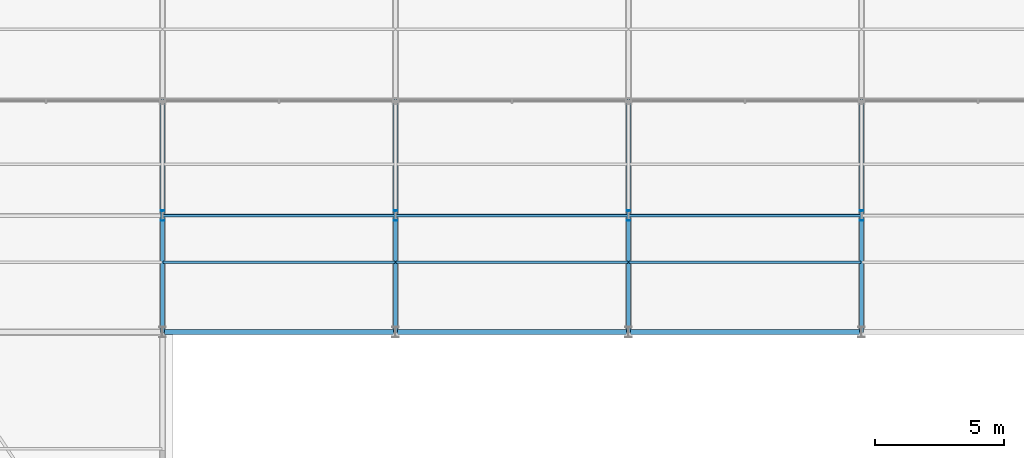
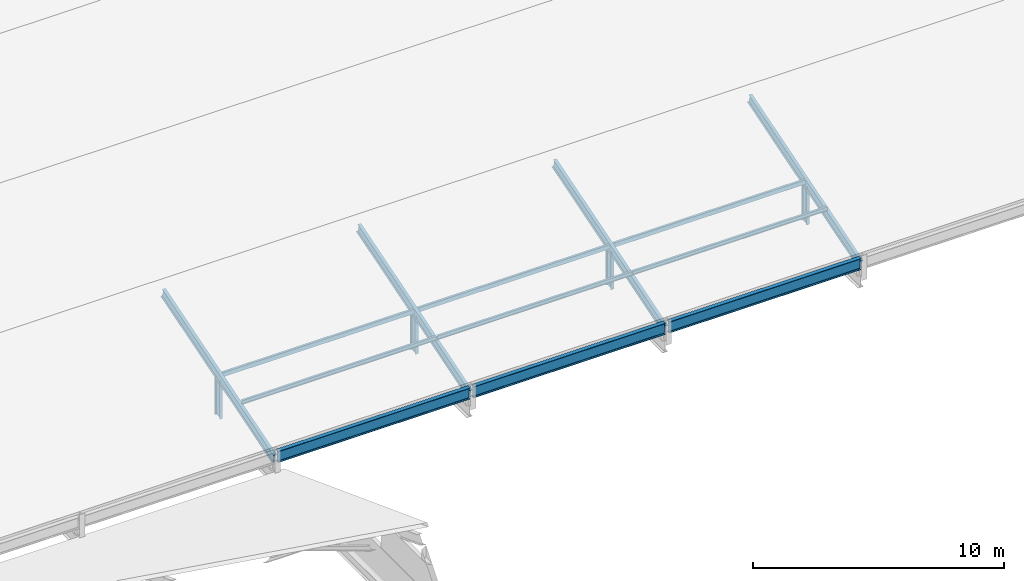
# One storey, part 61 of 163: 14 members, 3 beams.
"""IFC4 building model written with IfcOpenShell, lengths in metres."""

from ifc_helpers import new_model, si_unit, direction, frame, origin, origin_2d, place, context, subcontext, project, spatial, hollow_rectangle, i_section, extrude, material, material_profile, profile_set, type_object, element, save


model = new_model("IFC4")

# Units and contexts
model_context = context("Model", 3, precision=1e-05, world=origin(), true_north=direction((0.0, 1.0)))
body_context = subcontext(model_context, "Body", "Model", "MODEL_VIEW")
ifc_project = project(units=[si_unit("LENGTHUNIT", "METRE"), si_unit("AREAUNIT", "SQUARE_METRE"), si_unit("VOLUMEUNIT", "CUBIC_METRE"), si_unit("PLANEANGLEUNIT", "RADIAN"), si_unit("MASSUNIT", "GRAM", prefix="KILO")], contexts=[model_context])

# Site, building, storey
site_placement = place(None, origin())
site = spatial("IfcSite", under=ifc_project, at=site_placement, CompositionType="ELEMENT")
building_placement = place(site_placement, origin())
building = spatial("IfcBuilding", under=site, at=building_placement, Name="Tharagai Park Tramway Depot", CompositionType="ELEMENT")
storey_placement = place(building_placement, frame((0.0, 0.0, 8.39990234375)))
storey = spatial("IfcBuildingStorey", under=building, at=storey_placement, Name="L02", CompositionType="ELEMENT", Elevation=8.39990234375)

# Beams
ifc_material_1 = material(Name="Steel E350", Category="steel")
ifc_material_profile_1 = material_profile(ifc_material_1, i_section(OverallWidth=0.18994140625, OverallDepth=0.550048828125, WebThickness=0.01123046875, FlangeThickness=0.019287109375, FilletRadius=0.01806640625, at=origin_2d()), Name="ISMB 550")
ifc_profile_set_1 = profile_set([ifc_material_profile_1], Name="Steel E350")
beam_type = type_object("IfcBeamType", Name="BM-09", PredefinedType="BEAM", material=ifc_profile_set_1)
for number, where, z_axis, x_axis, name in (
    (1, (90.080078125, 90.0, 0.72509765625), (1.0, 0.0, 0.0), (0.0, 1.0, 0.0), "Sawtooth Valley Girder BM-09"),
    (2, (99.080078125, 90.0, 0.72509765625), (1.0, 0.0, 0.0), (0.0, 1.0, 0.0), "Sawtooth Valley Girder BM-09"),
    (3, (108.080078125, 90.0, 0.72509765625), (1.0, 0.0, 0.0), (0.0, 1.0, 0.0), "Sawtooth Valley Girder BM-09"),
):
    element("IfcBeam", number, at=place(storey_placement, frame(where, z_axis=z_axis, x_axis=x_axis)), inside=storey, type_object=beam_type, Name=name, PredefinedType="BEAM", context=body_context, shape_type="SweptSolid", body=[
        extrude(i_section(OverallWidth=0.18994140625, OverallDepth=0.550048828125, WebThickness=0.01123046875, FlangeThickness=0.019287109375, FilletRadius=0.01806640625, at=origin_2d()), origin(), (0.0, 0.0, 1.0), 8.83984375),
    ])

# Members
ifc_material_2 = material(Name="Steel E250", Category="steel")
ifc_material_profile_2 = material_profile(ifc_material_2, i_section(OverallWidth=0.10009765625, OverallDepth=0.199951171875, WebThickness=0.005615234375, FlangeThickness=0.0107421875, FilletRadius=0.010986328125, at=origin_2d()), Name="ISMB 200")
ifc_profile_set_2 = profile_set([ifc_material_profile_2], Name="Steel E250")
member_type_1 = type_object("IfcMemberType", Name="PR-04", PredefinedType="PURLIN", material=ifc_profile_set_2)
for number, where, z_axis, x_axis, name in (
    (4, (90.02001953125, 92.699951171875, 1.733154296875), (1.0, 0.0, 0.0), (0.0, 1.0, 0.0), "Sawtooth Roof Purlin PR-04"),
    (5, (99.02001953125, 92.699951171875, 1.733154296875), (1.0, 0.0, 0.0), (0.0, 1.0, 0.0), "Sawtooth Roof Purlin PR-04"),
    (6, (108.02001953125, 92.699951171875, 1.733154296875), (1.0, 0.0, 0.0), (0.0, 1.0, 0.0), "Sawtooth Roof Purlin PR-04"),
):
    element("IfcMember", number, at=place(storey_placement, frame(where, z_axis=z_axis, x_axis=x_axis)), inside=storey, type_object=member_type_1, Name=name, PredefinedType="PURLIN", context=body_context, shape_type="SweptSolid", body=[
        extrude(i_section(OverallWidth=0.10009765625, OverallDepth=0.199951171875, WebThickness=0.005615234375, FlangeThickness=0.0107421875, FilletRadius=0.010986328125, at=origin_2d()), origin(), (0.0, 0.0, 1.0), 8.9599609375),
    ])
ifc_material_profile_3 = material_profile(ifc_material_1, hollow_rectangle(XDim=0.1201171875, YDim=0.219970703125, WallThickness=0.008056640625, InnerFilletRadius=0.008056640625, OuterFilletRadius=0.01611328125, at=origin_2d()), Name="RHS 220x120x8")
ifc_profile_set_3 = profile_set([ifc_material_profile_3], Name="Steel E350")
member_type_2 = type_object("IfcMemberType", Name="TC-03", PredefinedType="CHORD", material=ifc_profile_set_3)
for number, where, z_axis, x_axis, name in (
    (7, (90.02001953125, 94.5, 1.946533203125), (1.0, 0.0, 0.0), (0.0, 1.0, 0.0), "Sawtooth Tubular Tie Strut TC-03"),
    (8, (99.02001953125, 94.5, 1.946533203125), (1.0, 0.0, 0.0), (0.0, 1.0, 0.0), "Sawtooth Tubular Tie Strut TC-03"),
    (9, (108.02001953125, 94.5, 1.946533203125), (1.0, 0.0, 0.0), (0.0, 1.0, 0.0), "Sawtooth Tubular Tie Strut TC-03"),
):
    element("IfcMember", number, at=place(storey_placement, frame(where, z_axis=z_axis, x_axis=x_axis)), inside=storey, type_object=member_type_2, Name=name, PredefinedType="CHORD", context=body_context, shape_type="SweptSolid", body=[
        extrude(hollow_rectangle(XDim=0.1201171875, YDim=0.219970703125, WallThickness=0.008056640625, InnerFilletRadius=0.008056640625, OuterFilletRadius=0.01611328125, at=origin_2d()), origin(), (0.0, 0.0, 1.0), 8.9599609375),
    ])
ifc_material_profile_4 = material_profile(ifc_material_1, i_section(OverallWidth=0.14990234375, OverallDepth=0.449951171875, WebThickness=0.009521484375, FlangeThickness=0.017333984375, FilletRadius=0.014892578125, at=origin_2d()), Name="ISMB 450")
ifc_profile_set_4 = profile_set([ifc_material_profile_4], Name="Steel E350")
member_type_3 = type_object("IfcMemberType", Name="TC-05", PredefinedType="CHORD", material=ifc_profile_set_4)
for number, where, z_axis, x_axis, name in (
    (10, (90.0, 90.06005859375, 0.587890625), (0.0, 0.956231486327, 0.29261125159), (-1.0, 0.0, 0.0), "Sawtooth Top Chord TC-05"),
    (11, (99.0, 90.06005859375, 0.587890625), (0.0, 0.956231486327, 0.29261125159), (-1.0, 0.0, 0.0), "Sawtooth Top Chord TC-05"),
    (12, (108.0, 90.06005859375, 0.587890625), (0.0, 0.956231486327, 0.29261125159), (-1.0, 0.0, 0.0), "Sawtooth Top Chord TC-05"),
    (13, (117.0, 90.06005859375, 0.587890625), (0.0, 0.956231486327, 0.29261125159), (-1.0, 0.0, 0.0), "Sawtooth Top Chord TC-05"),
):
    element("IfcMember", number, at=place(storey_placement, frame(where, z_axis=z_axis, x_axis=x_axis)), inside=storey, type_object=member_type_3, Name=name, PredefinedType="CHORD", context=body_context, shape_type="SweptSolid", body=[
        extrude(i_section(OverallWidth=0.14990234375, OverallDepth=0.449951171875, WebThickness=0.009521484375, FlangeThickness=0.017333984375, FilletRadius=0.014892578125, at=origin_2d()), origin(), (0.0, 0.0, 1.0), 9.286376953125),
    ])
ifc_material_profile_5 = material_profile(ifc_material_1, i_section(OverallWidth=0.139892578125, OverallDepth=0.39990234375, WebThickness=0.0087890625, FlangeThickness=0.01611328125, FilletRadius=0.013916015625, at=origin_2d()), Name="ISMB 400")
ifc_profile_set_5 = profile_set([ifc_material_profile_5], Name="Steel E350")
member_type_4 = type_object("IfcMemberType", Name="TC-06", PredefinedType="CHORD", material=ifc_profile_set_5)
for number, where, z_axis, x_axis, name in (
    (14, (90.0, 94.5, -0.0498046875), (0.0, 0.0, 1.0), (1.0, 0.0, 0.0), "Sawtooth Mid-Tooth Strut TC-06"),
    (15, (99.0, 94.5, -0.0498046875), (0.0, 0.0, 1.0), (1.0, 0.0, 0.0), "Sawtooth Mid-Tooth Strut TC-06"),
    (16, (108.0, 94.5, -0.0498046875), (0.0, 0.0, 1.0), (1.0, 0.0, 0.0), "Sawtooth Mid-Tooth Strut TC-06"),
    (17, (117.0, 94.5, -0.0498046875), (0.0, 0.0, 1.0), (1.0, 0.0, 0.0), "Sawtooth Mid-Tooth Strut TC-06"),
):
    element("IfcMember", number, at=place(storey_placement, frame(where, z_axis=z_axis, x_axis=x_axis)), inside=storey, type_object=member_type_4, Name=name, PredefinedType="CHORD", context=body_context, shape_type="SweptSolid", body=[
        extrude(i_section(OverallWidth=0.139892578125, OverallDepth=0.39990234375, WebThickness=0.0087890625, FlangeThickness=0.01611328125, FilletRadius=0.013916015625, at=origin_2d()), origin(), (0.0, 0.0, 1.0), 1.846435546875),
    ])

save(model, "model.ifc")
